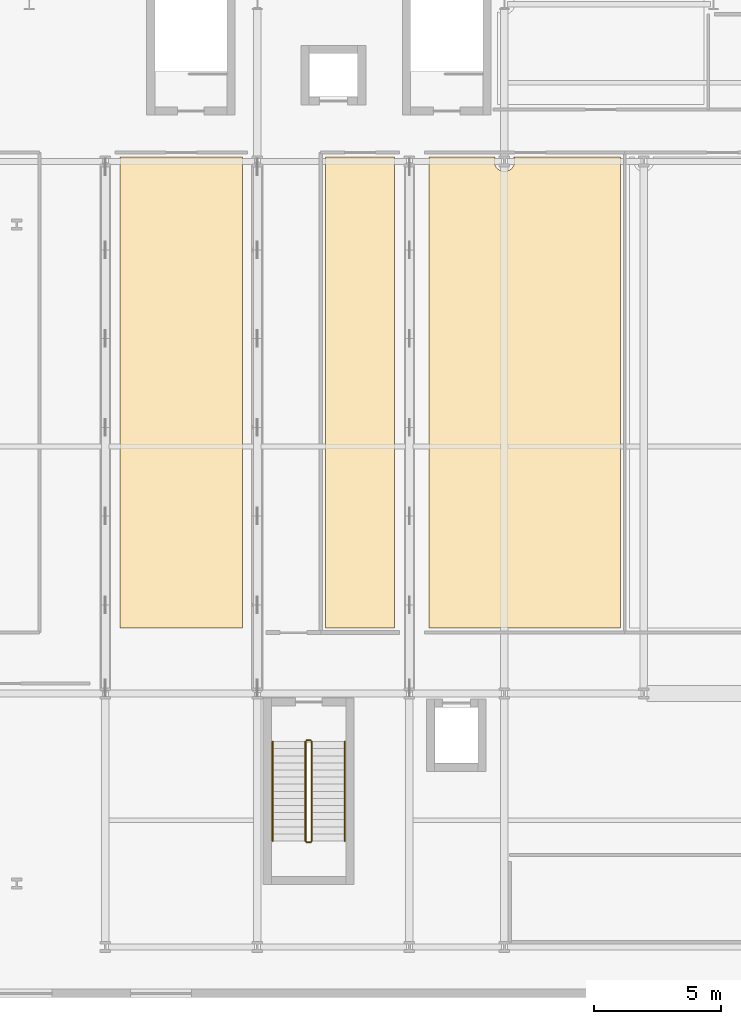
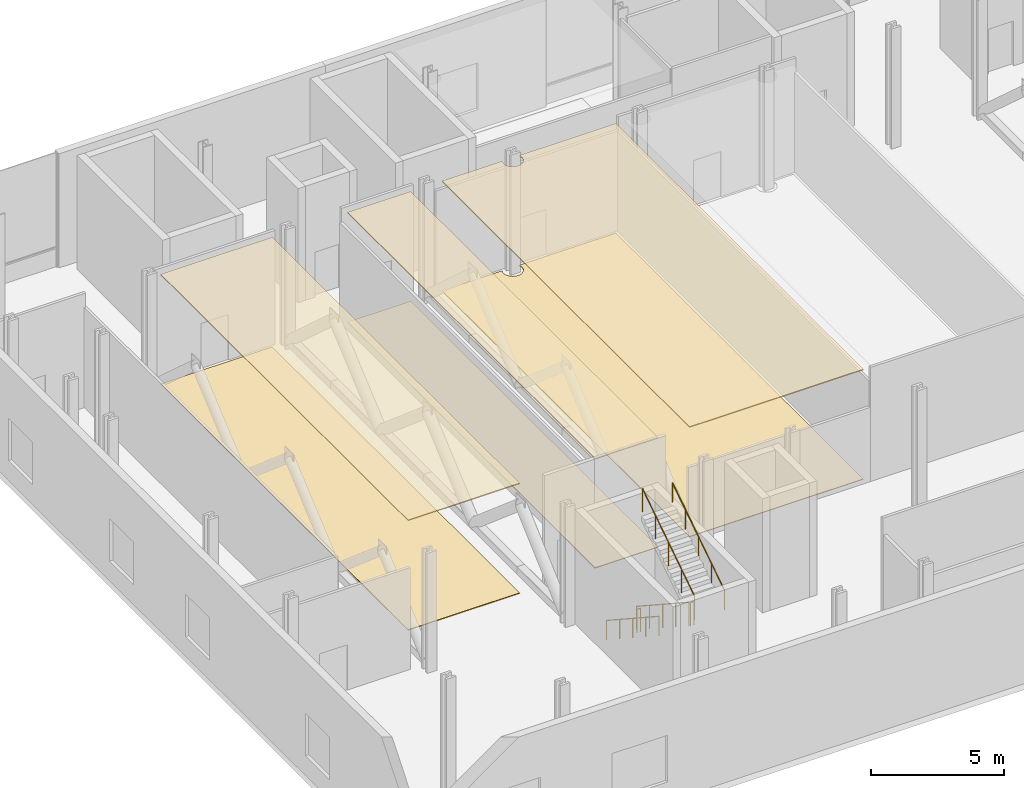
# One storey, part 15 of 17: 6 coverings, 6 railings.
"""IFC4 building model written with IfcOpenShell, lengths in metres."""

import ifcopenshell
import ifcopenshell.guid

model = None  # the IFC model being written
_history = None  # IfcOwnerHistory: only IFC2X3 demands one
_inside = {}  # id of a spatial element -> (the spatial element, [elements in it])
_under = {}  # id of a project, library or spatial element -> (it, [spatial elements below it])
_declared = {}  # id of a project -> (the project, [libraries it declares])
_typed = {}  # id of a type object -> (the type object, [elements of that type])
_made_of = {}  # id of a material, layer set ... -> (it, [elements and type objects made of it])


def new_model(schema):
    """Start an empty IFC model of exactly this schema.

    Asked for "IFC4X3", IfcOpenShell would pick the latest addendum, in which some entities
    have other attributes; the version numbers below select the first issue.
    IFC2X3 requires an IfcOwnerHistory on every rooted entity: one is made here for all.
    """
    global model, _history
    if schema == "IFC4X3":
        model = ifcopenshell.file(schema_version=(4, 3, 0, 0))
    else:
        model = ifcopenshell.file(schema=schema)
    _inside.clear()
    _under.clear()
    _declared.clear()
    _typed.clear()
    _made_of.clear()
    _history = None
    if model.schema == "IFC2X3":
        org = make("IfcOrganization", Name="unknown")
        user = make(
            "IfcPersonAndOrganization",
            ThePerson=make("IfcPerson", FamilyName="unknown"),
            TheOrganization=org,
        )
        app = make(
            "IfcApplication",
            ApplicationDeveloper=org,
            Version="unknown",
            ApplicationFullName="unknown",
            ApplicationIdentifier="unknown",
        )
        _history = make(
            "IfcOwnerHistory",
            OwningUser=user,
            OwningApplication=app,
            ChangeAction="ADDED",
            CreationDate=0,
        )
    return model


def make(cls, **values):
    """One entity of the class cls with the attributes given. An attribute that is None is left unset."""
    return model.create_entity(
        cls, **{name: value for name, value in values.items() if value is not None}
    )


def rooted(cls, **values):
    """An entity with a GlobalId (a new one), such as an element, a storey or a relation."""
    return make(cls, GlobalId=ifcopenshell.guid.new(), OwnerHistory=_history, **values)


def si_unit(unit_type, name, prefix=None):
    """IfcSIUnit, for example si_unit("LENGTHUNIT", "METRE", prefix="MILLI")."""
    return make("IfcSIUnit", UnitType=unit_type, Prefix=prefix, Name=name)


def assignment(units):
    """IfcUnitAssignment: the units of a project."""
    return None if units is None else make("IfcUnitAssignment", Units=units)


def point(xyz):
    """IfcCartesianPoint."""
    return None if xyz is None else make("IfcCartesianPoint", Coordinates=xyz)


def direction(xyz):
    """IfcDirection."""
    return None if xyz is None else make("IfcDirection", DirectionRatios=xyz)


def frame(location, z_axis=None, x_axis=None):
    """IfcAxis2Placement3D, a coordinate frame: its origin and axes. An axis left out is left unset."""
    return make(
        "IfcAxis2Placement3D",
        Location=point(location),
        Axis=direction(z_axis),
        RefDirection=direction(x_axis),
    )


def frame_2d(location, x_axis=None):
    """IfcAxis2Placement2D, a coordinate frame in the plane: its origin and x axis."""
    return make(
        "IfcAxis2Placement2D", Location=point(location), RefDirection=direction(x_axis)
    )


def origin():
    """The frame at (0, 0, 0) with its axes left unset."""
    return frame((0.0, 0.0, 0.0))


def origin_2d():
    """The frame at (0, 0) in the plane with its x axis left unset."""
    return frame_2d((0.0, 0.0))


def place(relative_to, where):
    """IfcLocalPlacement: puts the frame where relative to a parent placement (None: the world)."""
    return make(
        "IfcLocalPlacement", PlacementRelTo=relative_to, RelativePlacement=where
    )


def context(
    kind, dimensions, precision=None, world=None, true_north=None, identifier=None
):
    """IfcGeometricRepresentationContext, for example the 3D "Model" context."""
    return make(
        "IfcGeometricRepresentationContext",
        ContextIdentifier=identifier,
        ContextType=kind,
        CoordinateSpaceDimension=dimensions,
        Precision=precision,
        WorldCoordinateSystem=world,
        TrueNorth=true_north,
    )


def subcontext(parent, identifier, kind, view, scale=None):
    """IfcGeometricRepresentationSubContext, for example "Body" below "Model"."""
    return make(
        "IfcGeometricRepresentationSubContext",
        ContextIdentifier=identifier,
        ContextType=kind,
        ParentContext=parent,
        TargetScale=scale,
        TargetView=view,
    )


def project(units=None, contexts=None):
    """IfcProject with its units and contexts."""
    return rooted(
        "IfcProject",
        Name="project",
        RepresentationContexts=contexts,
        UnitsInContext=assignment(units),
    )


def spatial(cls, under=None, at=None, **own):
    """A site, building, storey or space (cls), placed at a placement, below another one or the project."""
    s = rooted(cls, ObjectPlacement=at, **own)
    if under is not None:
        _under.setdefault(under.id(), (under, []))[1].append(s)
    return s


def polyline(points):
    """IfcPolyline through the points."""
    return make("IfcPolyline", Points=[point(p) for p in points])


def profile(cls, at=None, kind="AREA", **sizes):
    """A parametric profile (cls). Its sizes go by their IFC names, for example OverallWidth=200.0."""
    return make(cls, ProfileType=kind, Position=at, **sizes)


def circle(**sizes):
    """IfcCircleProfileDef."""
    return profile("IfcCircleProfileDef", **sizes)


def outline(outer, holes=None, kind="AREA"):
    """IfcArbitraryClosedProfileDef: a profile drawn as a closed curve; with holes, ...WithVoids."""
    if holes is None:
        return make("IfcArbitraryClosedProfileDef", ProfileType=kind, OuterCurve=outer)
    return make(
        "IfcArbitraryProfileDefWithVoids",
        ProfileType=kind,
        OuterCurve=outer,
        InnerCurves=holes,
    )


def extrude(swept, where, along, depth):
    """IfcExtrudedAreaSolid: the profile swept, set in the frame where, extruded along a direction by depth."""
    return make(
        "IfcExtrudedAreaSolid",
        SweptArea=swept,
        Position=where,
        ExtrudedDirection=direction(along),
        Depth=depth,
    )


def shape(context_of_items, identifier, shape_type, items):
    """IfcShapeRepresentation: the items that make up one representation, for example the "Body"."""
    return make(
        "IfcShapeRepresentation",
        ContextOfItems=context_of_items,
        RepresentationIdentifier=identifier,
        RepresentationType=shape_type,
        Items=items,
    )


def material(Name=None, Category=None):
    """IfcMaterial."""
    return make("IfcMaterial", Name=Name, Category=Category)


def layer(
    of_material, thickness, ventilated=None, Name=None, Category=None, Priority=None
):
    """IfcMaterialLayer: one layer of a wall or slab, of a material (None: an air gap)."""
    return make(
        "IfcMaterialLayer",
        Material=of_material,
        LayerThickness=thickness,
        IsVentilated=ventilated,
        Name=Name,
        Category=Category,
        Priority=Priority,
    )


def layer_set(layers, Name=None):
    """IfcMaterialLayerSet."""
    return make("IfcMaterialLayerSet", MaterialLayers=layers, LayerSetName=Name)


def made_of(thing, what):
    """Note that an element or type object is made of a material, layer set ...; save() writes the relation."""
    if what is not None:
        _made_of.setdefault(what.id(), (what, []))[1].append(thing)
    return thing


def type_object(cls, material=None, **own):
    """A type object (cls), such as IfcWallType, which elements share."""
    return made_of(rooted(cls, **own), material)


def element(
    cls,
    number,
    at=None,
    inside=None,
    cuts=None,
    type_object=None,
    material=None,
    context=None,
    identifier="Body",
    shape_type=None,
    held_by="IfcProductDefinitionShape",
    body=None,
    shapes=None,
    **own,
):
    """One element of the class cls, such as IfcWall. Its Tag is "e" and its number.

    at: its placement. inside: the storey or other place that contains it. cuts: it is an
    opening in that element (IfcRelVoidsElement). A single representation is given by context,
    identifier, shape_type and body (its items); several are given by shapes. held_by: the class
    of the entity that holds the representations. save() writes the other relations.
    """
    e = rooted(cls, Tag="e%d" % number, ObjectPlacement=at, **own)
    if body is not None:
        shapes = [shape(context, identifier, shape_type, body)]
    if shapes is not None:
        e.Representation = make(held_by, Representations=shapes)
    if inside is not None:
        _inside.setdefault(inside.id(), (inside, []))[1].append(e)
    if cuts is not None:
        rooted(
            "IfcRelVoidsElement", RelatingBuildingElement=cuts, RelatedOpeningElement=e
        )
    if type_object is not None:
        _typed.setdefault(type_object.id(), (type_object, []))[1].append(e)
    return made_of(e, material)


def aggregate(whole, parts):
    """IfcRelAggregates: a whole, such as a stair, and the parts it consists of."""
    return rooted("IfcRelAggregates", RelatingObject=whole, RelatedObjects=parts)


def save(model, path):
    """Write the relations noted so far, then the file.

    IfcRelAggregates (storeys below a building ...), IfcRelContainedInSpatialStructure (elements
    in a storey), IfcRelDefinesByType, IfcRelAssociatesMaterial and IfcRelDeclares: one each for
    every whole, place, type object, material and project.
    """
    for whole, parts in _under.values():
        aggregate(whole, parts)
    for where, things in _inside.values():
        rooted(
            "IfcRelContainedInSpatialStructure",
            RelatedElements=things,
            RelatingStructure=where,
        )
    for kind, things in _typed.values():
        rooted("IfcRelDefinesByType", RelatedObjects=things, RelatingType=kind)
    for what, things in _made_of.values():
        rooted("IfcRelAssociatesMaterial", RelatedObjects=things, RelatingMaterial=what)
    for by, libraries in _declared.values():
        rooted("IfcRelDeclares", RelatingContext=by, RelatedDefinitions=libraries)
    model.write(path)


model = new_model("IFC4")

# Units and contexts
model_context = context("Model", 3, precision=1e-05, world=origin(), true_north=direction((0.0, 1.0)))
body_context = subcontext(model_context, "Body", "Model", "MODEL_VIEW")
ifc_project = project(units=[si_unit("LENGTHUNIT", "METRE"), si_unit("AREAUNIT", "SQUARE_METRE"), si_unit("VOLUMEUNIT", "CUBIC_METRE"), si_unit("PLANEANGLEUNIT", "RADIAN"), si_unit("MASSUNIT", "GRAM", prefix="KILO")], contexts=[model_context])

# Site, building, storey
site_placement = place(None, origin())
site = spatial("IfcSite", under=ifc_project, at=site_placement, CompositionType="ELEMENT")
building_placement = place(site_placement, origin())
building = spatial("IfcBuilding", under=site, at=building_placement, Name="Brevholm Reach", CompositionType="ELEMENT")
storey_placement = place(building_placement, frame((0.0, 0.0, 22.5)))
storey = spatial("IfcBuildingStorey", under=building, at=storey_placement, Name="L05", CompositionType="ELEMENT", Elevation=22.5)

# Coverings
ifc_material_1 = material(Name="Perforated Mineral-Fibre Class-A Acoustic Suspended Ceiling", Category="gypsum")
ifc_layer_1 = layer(ifc_material_1, 0.044921875)
ifc_layer_set_1 = layer_set([ifc_layer_1], Name="Perforated Mineral-Fibre Class-A Acoustic Suspended Ceiling")
covering_type_1 = type_object("IfcCoveringType", Name="COV-CLG-AC", PredefinedType="CEILING", material=ifc_layer_set_1)
covering_1_placement = place(storey_placement, frame((0.0, 0.0, 5.014892578125)))
element("IfcCovering", 1, at=covering_1_placement, inside=storey, type_object=covering_type_1, Name="L05 Suspended Ceiling L05-31", PredefinedType="CEILING", context=body_context, shape_type="SweptSolid", body=[
    extrude(outline(polyline([(6.580078125, 31.166015625), (11.419921875, 31.166015625), (11.419921875, 12.580078125), (6.580078125, 12.580078125), (6.580078125, 31.166015625)])), origin(), (0.0, 0.0, 1.0), 0.045166015625),
])
covering_2_placement = place(storey_placement, frame((0.0, 0.0, 5.014892578125)))
element("IfcCovering", 2, at=covering_2_placement, inside=storey, type_object=covering_type_1, Name="L05 Suspended Ceiling L05-32", PredefinedType="CEILING", context=body_context, shape_type="SweptSolid", body=[
    extrude(outline(polyline([(17.419921875, 12.583984375), (14.68408203125, 12.583984375), (14.68408203125, 31.166015625), (17.419921875, 31.166015625), (17.419921875, 12.583984375)])), origin(), (0.0, 0.0, 1.0), 0.045166015625),
])
covering_3_placement = place(storey_placement, frame((0.0, 0.0, 5.014892578125)))
element("IfcCovering", 3, at=covering_3_placement, inside=storey, type_object=covering_type_1, Name="L05 Suspended Ceiling L05-38", PredefinedType="CEILING", context=body_context, shape_type="SweptSolid", body=[
    extrude(outline(polyline([(18.780029296875, 31.166015625), (21.38671875, 31.166015625), (21.38037109375, 31.153076171875), (21.3671875, 31.1162109375), (21.357666015625, 31.077880859375), (21.351806640625, 31.039306640625), (21.35009765625, 31.0), (21.351806640625, 30.960693359375), (21.357666015625, 30.922119140625), (21.3671875, 30.8837890625), (21.38037109375, 30.846923828125), (21.397216796875, 30.811279296875), (21.41748046875, 30.77783203125), (21.44091796875, 30.74609375), (21.46728515625, 30.71728515625), (21.49609375, 30.69091796875), (21.52783203125, 30.66748046875), (21.561279296875, 30.647216796875), (21.596923828125, 30.63037109375), (21.6337890625, 30.6171875), (21.672119140625, 30.607666015625), (21.710693359375, 30.601806640625), (21.75, 30.60009765625), (21.789306640625, 30.601806640625), (21.827880859375, 30.607666015625), (21.8662109375, 30.6171875), (21.903076171875, 30.63037109375), (21.938720703125, 30.647216796875), (21.97216796875, 30.66748046875), (22.00390625, 30.69091796875), (22.03271484375, 30.71728515625), (22.05908203125, 30.74609375), (22.08251953125, 30.77783203125), (22.102783203125, 30.811279296875), (22.11962890625, 30.846923828125), (22.1328125, 30.8837890625), (22.142333984375, 30.922119140625), (22.148193359375, 30.960693359375), (22.14990234375, 31.0), (22.148193359375, 31.039306640625), (22.142333984375, 31.077880859375), (22.1328125, 31.1162109375), (22.11962890625, 31.153076171875), (22.11328125, 31.166015625), (26.320068359375, 31.166015625), (26.320068359375, 12.583984375), (18.780029296875, 12.583984375), (18.780029296875, 31.166015625)])), origin(), (0.0, 0.0, 1.0), 0.045166015625),
])
ifc_material_2 = material(Name="Honed Portland-Aggregate Resin Terrazzo Flooring", Category="concrete")
ifc_layer_2 = layer(ifc_material_2, 0.031982421875)
ifc_layer_set_2 = layer_set([ifc_layer_2], Name="Honed Portland-Aggregate Resin Terrazzo Flooring")
covering_type_2 = type_object("IfcCoveringType", Name="COV-FLR-TRZ", PredefinedType="FLOORING", material=ifc_layer_set_2)
covering_4_placement = place(storey_placement, origin())
element("IfcCovering", 4, at=covering_4_placement, inside=storey, type_object=covering_type_2, Name="L05 Floor Finish L05-31", PredefinedType="FLOORING", context=body_context, shape_type="SweptSolid", body=[
    extrude(outline(polyline([(6.580078125, 31.166015625), (11.419921875, 31.166015625), (11.419921875, 12.580078125), (6.580078125, 12.580078125), (6.580078125, 31.166015625)])), origin(), (0.0, 0.0, 1.0), 0.031982421875),
])
covering_5_placement = place(storey_placement, origin())
element("IfcCovering", 5, at=covering_5_placement, inside=storey, type_object=covering_type_2, Name="L05 Floor Finish L05-32", PredefinedType="FLOORING", context=body_context, shape_type="SweptSolid", body=[
    extrude(outline(polyline([(17.419921875, 12.583984375), (14.68408203125, 12.583984375), (14.68408203125, 31.166015625), (17.419921875, 31.166015625), (17.419921875, 12.583984375)])), origin(), (0.0, 0.0, 1.0), 0.031982421875),
])
covering_6_placement = place(storey_placement, origin())
element("IfcCovering", 6, at=covering_6_placement, inside=storey, type_object=covering_type_2, Name="L05 Floor Finish L05-38", PredefinedType="FLOORING", context=body_context, shape_type="SweptSolid", body=[
    extrude(outline(polyline([(18.780029296875, 31.166015625), (21.38671875, 31.166015625), (21.38037109375, 31.153076171875), (21.3671875, 31.1162109375), (21.357666015625, 31.077880859375), (21.351806640625, 31.039306640625), (21.35009765625, 31.0), (21.351806640625, 30.960693359375), (21.357666015625, 30.922119140625), (21.3671875, 30.8837890625), (21.38037109375, 30.846923828125), (21.397216796875, 30.811279296875), (21.41748046875, 30.77783203125), (21.44091796875, 30.74609375), (21.46728515625, 30.71728515625), (21.49609375, 30.69091796875), (21.52783203125, 30.66748046875), (21.561279296875, 30.647216796875), (21.596923828125, 30.63037109375), (21.6337890625, 30.6171875), (21.672119140625, 30.607666015625), (21.710693359375, 30.601806640625), (21.75, 30.60009765625), (21.789306640625, 30.601806640625), (21.827880859375, 30.607666015625), (21.8662109375, 30.6171875), (21.903076171875, 30.63037109375), (21.938720703125, 30.647216796875), (21.97216796875, 30.66748046875), (22.00390625, 30.69091796875), (22.03271484375, 30.71728515625), (22.05908203125, 30.74609375), (22.08251953125, 30.77783203125), (22.102783203125, 30.811279296875), (22.11962890625, 30.846923828125), (22.1328125, 30.8837890625), (22.142333984375, 30.922119140625), (22.148193359375, 30.960693359375), (22.14990234375, 31.0), (22.148193359375, 31.039306640625), (22.142333984375, 31.077880859375), (22.1328125, 31.1162109375), (22.11962890625, 31.153076171875), (22.11328125, 31.166015625), (26.320068359375, 31.166015625), (26.320068359375, 12.583984375), (18.780029296875, 12.583984375), (18.780029296875, 31.166015625)])), origin(), (0.0, 0.0, 1.0), 0.031982421875),
])

# Railings
ifc_material_3 = material(Name="Brushed Stainless Steel EN 1.4401 Continuous Handrail", Category="steel")
railing_type_1 = type_object("IfcRailingType", Name="RAL-HND-950", PredefinedType="HANDRAIL", material=ifc_material_3)
railing_1_placement = place(storey_placement, frame((12.60009765625, 8.10009765625, 0.183349609375)))
element("IfcRailing", 7, at=railing_1_placement, inside=storey, type_object=railing_type_1, Name="L05 ST-1 stair handrail 1", PredefinedType="HANDRAIL", context=body_context, shape_type="SweptSolid", body=[
    extrude(circle(Radius=0.02392578125, at=origin_2d()), frame((0.0, 0.0, 0.8857421875), z_axis=(0.0, -0.836630751959, 0.54776727255), x_axis=(1.0, 0.0, 0.0)), (0.0, 0.0, 1.0), 4.685546875),
    extrude(circle(Radius=0.02099609375, at=origin_2d()), origin(), (0.0, 0.0, 1.0), 0.86181640625),
    extrude(circle(Radius=0.02099609375, at=origin_2d()), frame((0.0, -0.97998046875, 0.6416015625)), (0.0, 0.0, 1.0), 0.86181640625),
    extrude(circle(Radius=0.02099609375, at=origin_2d()), frame((0.0, -1.9599609375, 1.283203125)), (0.0, 0.0, 1.0), 0.86181640625),
    extrude(circle(Radius=0.02099609375, at=origin_2d()), frame((0.0, -2.940185546875, 1.925048828125)), (0.0, 0.0, 1.0), 0.86181640625),
    extrude(circle(Radius=0.02099609375, at=origin_2d()), frame((0.0, -3.920166015625, 2.566650390625)), (0.0, 0.0, 1.0), 0.86181640625),
])
railing_2_placement = place(storey_placement, frame((15.449951171875, 4.179931640625, 2.933349609375)))
element("IfcRailing", 8, at=railing_2_placement, inside=storey, type_object=railing_type_1, Name="L05 ST-1 stair handrail 2", PredefinedType="HANDRAIL", context=body_context, shape_type="SweptSolid", body=[
    extrude(circle(Radius=0.02392578125, at=origin_2d()), frame((0.0, 0.0, 0.8857421875), z_axis=(0.0, 0.836630751959, 0.54776727255), x_axis=(-1.0, 0.0, 0.0)), (0.0, 0.0, 1.0), 4.685546875),
    extrude(circle(Radius=0.02099609375, at=origin_2d()), origin(), (0.0, 0.0, 1.0), 0.86181640625),
    extrude(circle(Radius=0.02099609375, at=origin_2d()), frame((0.0, 0.97998046875, 0.6416015625)), (0.0, 0.0, 1.0), 0.86181640625),
    extrude(circle(Radius=0.02099609375, at=origin_2d()), frame((0.0, 1.9599609375, 1.283203125)), (0.0, 0.0, 1.0), 0.86181640625),
    extrude(circle(Radius=0.02099609375, at=origin_2d()), frame((0.0, 2.940185546875, 1.925048828125)), (0.0, 0.0, 1.0), 0.86181640625),
    extrude(circle(Radius=0.02099609375, at=origin_2d()), frame((0.0, 3.920166015625, 2.566650390625)), (0.0, 0.0, 1.0), 0.86181640625),
])
ifc_material_4 = material(Name="Painted Tubular Galvanised Steel S275JR Stair Guard", Category="steel")
railing_type_2 = type_object("IfcRailingType", Name="RAL-STG-1120", PredefinedType="BALUSTRADE", material=ifc_material_4)
railing_3_placement = place(storey_placement, frame((13.89990234375, 8.10009765625, 0.183349609375)))
element("IfcRailing", 9, at=railing_3_placement, inside=storey, type_object=railing_type_2, Name="L05 ST-1 stair guard 1", PredefinedType="BALUSTRADE", context=body_context, shape_type="SweptSolid", body=[
    extrude(circle(Radius=0.02392578125, at=origin_2d()), frame((0.0, 0.0, 1.076171875), z_axis=(0.0, -0.836630751959, 0.54776727255), x_axis=(1.0, 0.0, 0.0)), (0.0, 0.0, 1.0), 4.685546875),
    extrude(circle(Radius=0.02099609375, at=origin_2d()), origin(), (0.0, 0.0, 1.0), 1.052001953125),
    extrude(circle(Radius=0.02099609375, at=origin_2d()), frame((0.0, -0.97998046875, 0.6416015625)), (0.0, 0.0, 1.0), 1.052001953125),
    extrude(circle(Radius=0.02099609375, at=origin_2d()), frame((0.0, -1.9599609375, 1.283203125)), (0.0, 0.0, 1.0), 1.052001953125),
    extrude(circle(Radius=0.02099609375, at=origin_2d()), frame((0.0, -2.940185546875, 1.925048828125)), (0.0, 0.0, 1.0), 1.052001953125),
    extrude(circle(Radius=0.02099609375, at=origin_2d()), frame((0.0, -3.920166015625, 2.566650390625)), (0.0, 0.0, 1.0), 1.052001953125),
])
railing_4_placement = place(storey_placement, frame((13.949951171875, 4.1298828125, 2.75)))
element("IfcRailing", 10, at=railing_4_placement, inside=storey, type_object=railing_type_2, Name="L05 ST-1 stair guard 2", PredefinedType="BALUSTRADE", context=body_context, shape_type="SweptSolid", body=[
    extrude(circle(Radius=0.02392578125, at=origin_2d()), frame((0.0, 0.0, 1.076171875), z_axis=(1.0, 0.0, 0.0), x_axis=(0.0, 1.0, 0.0)), (0.0, 0.0, 1.0), 0.150146484375),
    extrude(circle(Radius=0.02099609375, at=origin_2d()), origin(), (0.0, 0.0, 1.0), 1.052001953125),
    extrude(circle(Radius=0.02099609375, at=origin_2d()), frame((0.150146484375, 0.0, 0.0)), (0.0, 0.0, 1.0), 1.052001953125),
])
railing_5_placement = place(storey_placement, frame((14.14990234375, 4.179931640625, 2.933349609375)))
element("IfcRailing", 11, at=railing_5_placement, inside=storey, type_object=railing_type_2, Name="L05 ST-1 stair guard 3", PredefinedType="BALUSTRADE", context=body_context, shape_type="SweptSolid", body=[
    extrude(circle(Radius=0.02392578125, at=origin_2d()), frame((0.0, 0.0, 1.076171875), z_axis=(0.0, 0.836630751959, 0.54776727255), x_axis=(-1.0, 0.0, 0.0)), (0.0, 0.0, 1.0), 4.685546875),
    extrude(circle(Radius=0.02099609375, at=origin_2d()), origin(), (0.0, 0.0, 1.0), 1.052001953125),
    extrude(circle(Radius=0.02099609375, at=origin_2d()), frame((0.0, 0.97998046875, 0.6416015625)), (0.0, 0.0, 1.0), 1.052001953125),
    extrude(circle(Radius=0.02099609375, at=origin_2d()), frame((0.0, 1.9599609375, 1.283203125)), (0.0, 0.0, 1.0), 1.052001953125),
    extrude(circle(Radius=0.02099609375, at=origin_2d()), frame((0.0, 2.940185546875, 1.925048828125)), (0.0, 0.0, 1.0), 1.052001953125),
    extrude(circle(Radius=0.02099609375, at=origin_2d()), frame((0.0, 3.920166015625, 2.566650390625)), (0.0, 0.0, 1.0), 1.052001953125),
])
railing_6_placement = place(storey_placement, frame((13.949951171875, 8.14990234375, 0.0)))
element("IfcRailing", 12, at=railing_6_placement, inside=storey, type_object=railing_type_2, Name="L05 ST-1 stair guard 4", PredefinedType="BALUSTRADE", context=body_context, shape_type="SweptSolid", body=[
    extrude(circle(Radius=0.02392578125, at=origin_2d()), frame((0.0, 0.0, 1.076171875), z_axis=(1.0, 0.0, 0.0), x_axis=(0.0, 1.0, 0.0)), (0.0, 0.0, 1.0), 0.150146484375),
    extrude(circle(Radius=0.02099609375, at=origin_2d()), origin(), (0.0, 0.0, 1.0), 1.052001953125),
    extrude(circle(Radius=0.02099609375, at=origin_2d()), frame((0.150146484375, 0.0, 0.0)), (0.0, 0.0, 1.0), 1.052001953125),
])

save(model, "model.ifc")
